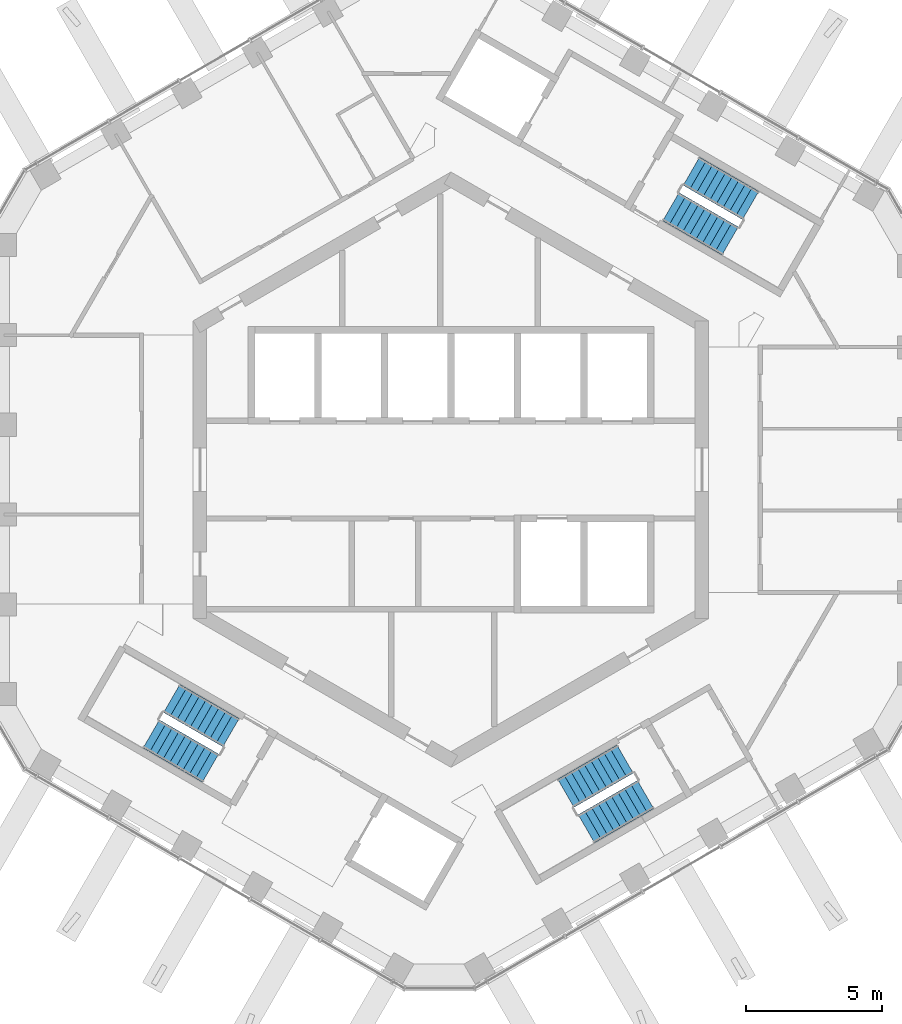
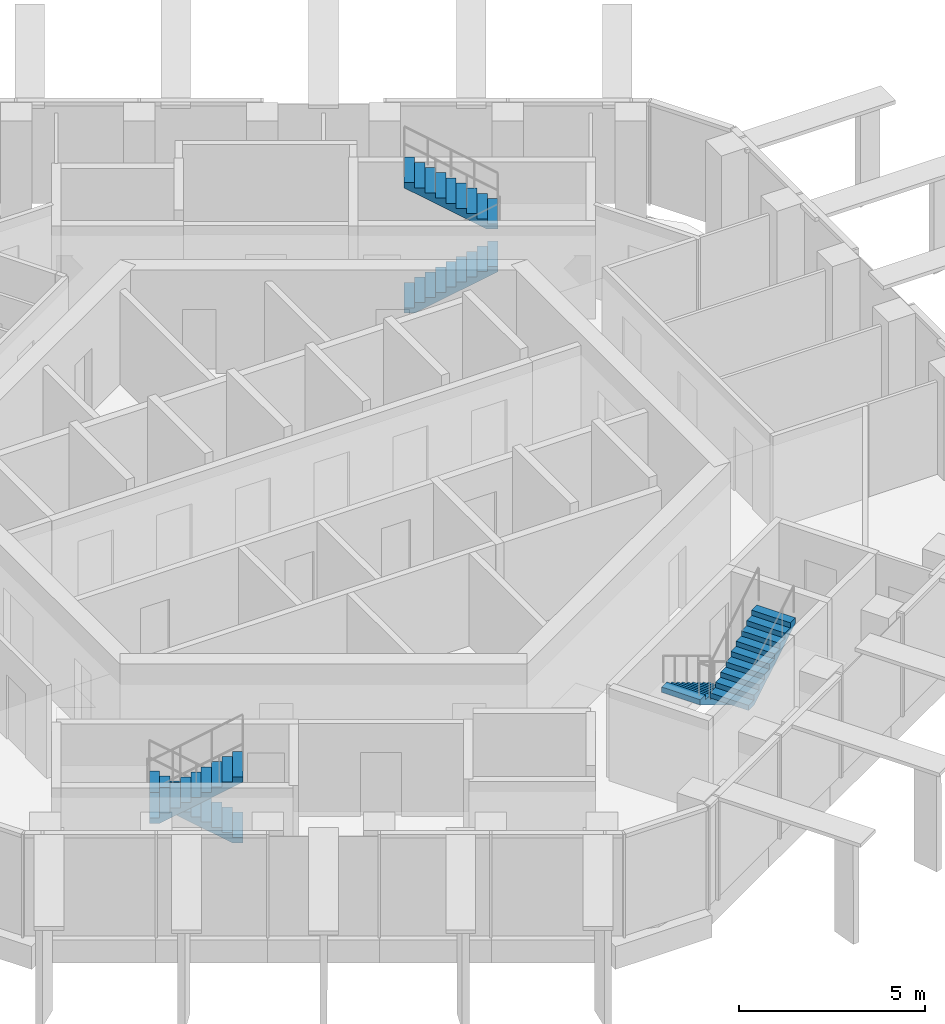
# One storey, part 15 of 18: 6 stair flights, 3 elements without a shape of their own.
"""IFC4 building model written with IfcOpenShell, lengths in metres."""

from ifc_helpers import new_model, si_unit, direction, frame, origin, place, context, subcontext, project, spatial, triangles, material, type_object, element, aggregate, save


model = new_model("IFC4")

# Units and contexts
model_context = context("Model", 3, precision=1e-05, world=origin(), true_north=direction((0.0, 1.0)))
body_context = subcontext(model_context, "Body", "Model", "MODEL_VIEW")
ifc_project = project(units=[si_unit("LENGTHUNIT", "METRE"), si_unit("AREAUNIT", "SQUARE_METRE"), si_unit("VOLUMEUNIT", "CUBIC_METRE"), si_unit("PLANEANGLEUNIT", "RADIAN"), si_unit("MASSUNIT", "GRAM", prefix="KILO")], contexts=[model_context])

# Site, building, storey
site_placement = place(None, origin())
site = spatial("IfcSite", under=ifc_project, at=site_placement, CompositionType="ELEMENT")
building_placement = place(site_placement, origin())
building = spatial("IfcBuilding", under=site, at=building_placement, Name="Ayvan Gate Tower", CompositionType="ELEMENT")
storey_placement = place(building_placement, frame((0.0, 0.0, 242.699951171875)))
storey = spatial("IfcBuildingStorey", under=building, at=storey_placement, Name="L65", CompositionType="ELEMENT", Elevation=242.699951171875)

# Stair, stair flights
ifc_material = material(Name="Concrete C40/50", Category="concrete")
stair_type = type_object("IfcStairType", Name="ST-EXIT", PredefinedType="HALF_TURN_STAIR", material=ifc_material)
stair_1_placement = place(storey_placement, origin())
stair_1 = element("IfcStair", 1, at=stair_1_placement, inside=storey, type_object=stair_type, Name="L65 Exit Stair S1", PredefinedType="HALF_TURN_STAIR")
stair_flight_type = type_object("IfcStairFlightType", Name="SFL-EXIT", PredefinedType="STRAIGHT", material=ifc_material)
stair_flight_1_placement = place(storey_placement, frame((8.106201171875, 9.690185546875, 0.0), z_axis=(0.0, 0.0, 1.0), x_axis=(0.866025403784, -0.5, 0.0)))
stair_flight_1 = element("IfcStairFlight", 2, at=stair_flight_1_placement, type_object=stair_flight_type, Name="STS1 flight 1", NumberOfRisers=10, NumberOfTreads=9, PredefinedType="STRAIGHT", RiserHeight=0.17, TreadLength=0.28, context=body_context, shape_type="Tessellation", body=[
    triangles([(0.288841, -0.599976, 0.0), (2.5205, -0.599976, 1.354936), (2.5205, -0.599976, 1.53), (2.24, -0.599976, 1.53), (2.24, -0.599976, 1.36), (1.96, -0.599976, 1.36), (1.96, -0.599976, 1.19), (1.68, -0.599976, 1.19), (1.68, -0.599976, 1.02), (1.4, -0.599976, 1.02), (1.4, -0.599976, 0.85), (1.12, -0.599976, 0.85), (1.12, -0.599976, 0.68), (0.84, -0.599976, 0.68), (0.84, -0.599976, 0.51), (0.56, -0.599976, 0.51), (0.56, -0.599976, 0.34), (0.28, -0.599976, 0.34), (0.28, -0.599976, 0.17), (-0.0005, -0.599976, 0.17), (-0.0005, -0.599976, 0.0), (0.288841, 0.0, 0.0), (2.5205, 0.0, 1.354936), (2.5205, 0.0, 1.53), (2.24, 0.0, 1.53), (2.24, 0.0, 1.36), (1.96, 0.0, 1.36), (1.96, 0.0, 1.19), (1.68, 0.0, 1.19), (1.68, 0.0, 1.02), (1.4, 0.0, 1.02), (1.4, 0.0, 0.85), (1.12, 0.0, 0.85), (1.12, 0.0, 0.68), (0.84, 0.0, 0.68), (0.84, 0.0, 0.51), (0.56, 0.0, 0.51), (0.56, 0.0, 0.34), (0.28, 0.0, 0.34), (0.28, 0.0, 0.17), (-0.0005, 0.0, 0.17), (-0.0005, 0.0, 0.0), (0.288841, 0.599976, 0.0), (2.5205, 0.599976, 1.354936), (2.5205, 0.599976, 1.53), (2.24, 0.599976, 1.53), (2.24, 0.599976, 1.36), (1.96, 0.599976, 1.36), (1.96, 0.599976, 1.19), (1.68, 0.599976, 1.19), (1.68, 0.599976, 1.02), (1.4, 0.599976, 1.02), (1.4, 0.599976, 0.85), (1.12, 0.599976, 0.85), (1.12, 0.599976, 0.68), (0.84, 0.599976, 0.68), (0.84, 0.599976, 0.51), (0.56, 0.599976, 0.51), (0.56, 0.599976, 0.34), (0.28, 0.599976, 0.34), (0.28, 0.599976, 0.17), (-0.0005, 0.599976, 0.17), (-0.0005, 0.599976, 0.0)], [[21, 1, 2], [63, 44, 43], [2, 3, 4], [44, 46, 45], [2, 4, 5], [44, 47, 46], [2, 5, 6], [44, 48, 47], [2, 6, 7], [44, 49, 48], [7, 8, 9], [49, 51, 50], [2, 7, 9], [44, 51, 49], [9, 10, 11], [51, 53, 52], [2, 9, 11], [44, 53, 51], [11, 12, 13], [53, 55, 54], [2, 11, 13], [44, 55, 53], [13, 14, 15], [55, 57, 56], [2, 13, 15], [44, 57, 55], [15, 16, 17], [57, 59, 58], [2, 15, 17], [44, 59, 57], [17, 18, 19], [59, 61, 60], [2, 17, 19], [44, 61, 59], [21, 2, 19], [63, 61, 44], [19, 20, 21], [61, 63, 62], [1, 22, 23], [1, 23, 2], [43, 23, 22], [43, 44, 23], [2, 23, 24], [2, 24, 3], [44, 24, 23], [44, 45, 24], [3, 24, 25], [3, 25, 4], [45, 25, 24], [45, 46, 25], [4, 25, 26], [4, 26, 5], [46, 26, 25], [46, 47, 26], [5, 26, 27], [5, 27, 6], [47, 27, 26], [47, 48, 27], [6, 27, 28], [6, 28, 7], [48, 28, 27], [48, 49, 28], [7, 28, 29], [7, 29, 8], [49, 29, 28], [49, 50, 29], [8, 29, 30], [8, 30, 9], [50, 30, 29], [50, 51, 30], [9, 30, 31], [9, 31, 10], [51, 31, 30], [51, 52, 31], [10, 31, 32], [10, 32, 11], [52, 32, 31], [52, 53, 32], [11, 32, 33], [11, 33, 12], [53, 33, 32], [53, 54, 33], [12, 33, 34], [12, 34, 13], [54, 34, 33], [54, 55, 34], [13, 34, 35], [13, 35, 14], [55, 35, 34], [55, 56, 35], [14, 35, 36], [14, 36, 15], [56, 36, 35], [56, 57, 36], [15, 36, 37], [15, 37, 16], [57, 37, 36], [57, 58, 37], [16, 37, 38], [16, 38, 17], [58, 38, 37], [58, 59, 38], [17, 38, 39], [17, 39, 18], [59, 39, 38], [59, 60, 39], [18, 39, 40], [18, 40, 19], [60, 40, 39], [60, 61, 40], [19, 40, 41], [19, 41, 20], [61, 41, 40], [61, 62, 41], [20, 41, 42], [20, 42, 21], [62, 42, 41], [62, 63, 42], [21, 42, 22], [21, 22, 1], [63, 22, 42], [63, 43, 22]], closed=True),
])
stair_flight_2_placement = place(storey_placement, frame((11.04345703125, 9.73779296875, 1.699951171875), z_axis=(0.0, 0.0, 1.0), x_axis=(-0.866025403784, 0.5, 0.0)))
stair_flight_2 = element("IfcStairFlight", 3, at=stair_flight_2_placement, type_object=stair_flight_type, Name="STS1 flight 2", NumberOfRisers=10, NumberOfTreads=9, PredefinedType="STRAIGHT", RiserHeight=0.17, TreadLength=0.28, context=body_context, shape_type="Tessellation", body=[
    triangles([(0.288841, -0.599976, 0.0), (2.5205, -0.599976, 1.354936), (2.5205, -0.599976, 1.53), (2.24, -0.599976, 1.53), (2.24, -0.599976, 1.36), (1.96, -0.599976, 1.36), (1.96, -0.599976, 1.19), (1.68, -0.599976, 1.19), (1.68, -0.599976, 1.02), (1.4, -0.599976, 1.02), (1.4, -0.599976, 0.85), (1.12, -0.599976, 0.85), (1.12, -0.599976, 0.68), (0.84, -0.599976, 0.68), (0.84, -0.599976, 0.51), (0.56, -0.599976, 0.51), (0.56, -0.599976, 0.34), (0.28, -0.599976, 0.34), (0.28, -0.599976, 0.17), (-0.0005, -0.599976, 0.17), (-0.0005, -0.599976, 0.0), (0.288841, 0.0, 0.0), (2.5205, 0.0, 1.354936), (2.5205, 0.0, 1.53), (2.24, 0.0, 1.53), (2.24, 0.0, 1.36), (1.96, 0.0, 1.36), (1.96, 0.0, 1.19), (1.68, 0.0, 1.19), (1.68, 0.0, 1.02), (1.4, 0.0, 1.02), (1.4, 0.0, 0.85), (1.12, 0.0, 0.85), (1.12, 0.0, 0.68), (0.84, 0.0, 0.68), (0.84, 0.0, 0.51), (0.56, 0.0, 0.51), (0.56, 0.0, 0.34), (0.28, 0.0, 0.34), (0.28, 0.0, 0.17), (-0.0005, 0.0, 0.17), (-0.0005, 0.0, 0.0), (0.288841, 0.599976, 0.0), (2.5205, 0.599976, 1.354936), (2.5205, 0.599976, 1.53), (2.24, 0.599976, 1.53), (2.24, 0.599976, 1.36), (1.96, 0.599976, 1.36), (1.96, 0.599976, 1.19), (1.68, 0.599976, 1.19), (1.68, 0.599976, 1.02), (1.4, 0.599976, 1.02), (1.4, 0.599976, 0.85), (1.12, 0.599976, 0.85), (1.12, 0.599976, 0.68), (0.84, 0.599976, 0.68), (0.84, 0.599976, 0.51), (0.56, 0.599976, 0.51), (0.56, 0.599976, 0.34), (0.28, 0.599976, 0.34), (0.28, 0.599976, 0.17), (-0.0005, 0.599976, 0.17), (-0.0005, 0.599976, 0.0)], [[21, 1, 2], [63, 44, 43], [2, 3, 4], [44, 46, 45], [2, 4, 5], [44, 47, 46], [2, 5, 6], [44, 48, 47], [2, 6, 7], [44, 49, 48], [7, 8, 9], [49, 51, 50], [2, 7, 9], [44, 51, 49], [9, 10, 11], [51, 53, 52], [2, 9, 11], [44, 53, 51], [11, 12, 13], [53, 55, 54], [2, 11, 13], [44, 55, 53], [13, 14, 15], [55, 57, 56], [2, 13, 15], [44, 57, 55], [15, 16, 17], [57, 59, 58], [2, 15, 17], [44, 59, 57], [17, 18, 19], [59, 61, 60], [2, 17, 19], [44, 61, 59], [21, 2, 19], [63, 61, 44], [19, 20, 21], [61, 63, 62], [1, 22, 23], [1, 23, 2], [43, 23, 22], [43, 44, 23], [2, 23, 24], [2, 24, 3], [44, 24, 23], [44, 45, 24], [3, 24, 25], [3, 25, 4], [45, 25, 24], [45, 46, 25], [4, 25, 26], [4, 26, 5], [46, 26, 25], [46, 47, 26], [5, 26, 27], [5, 27, 6], [47, 27, 26], [47, 48, 27], [6, 27, 28], [6, 28, 7], [48, 28, 27], [48, 49, 28], [7, 28, 29], [7, 29, 8], [49, 29, 28], [49, 50, 29], [8, 29, 30], [8, 30, 9], [50, 30, 29], [50, 51, 30], [9, 30, 31], [9, 31, 10], [51, 31, 30], [51, 52, 31], [10, 31, 32], [10, 32, 11], [52, 32, 31], [52, 53, 32], [11, 32, 33], [11, 33, 12], [53, 33, 32], [53, 54, 33], [12, 33, 34], [12, 34, 13], [54, 34, 33], [54, 55, 34], [13, 34, 35], [13, 35, 14], [55, 35, 34], [55, 56, 35], [14, 35, 36], [14, 36, 15], [56, 36, 35], [56, 57, 36], [15, 36, 37], [15, 37, 16], [57, 37, 36], [57, 58, 37], [16, 37, 38], [16, 38, 17], [58, 38, 37], [58, 59, 38], [17, 38, 39], [17, 39, 18], [59, 39, 38], [59, 60, 39], [18, 39, 40], [18, 40, 19], [60, 40, 39], [60, 61, 40], [19, 40, 41], [19, 41, 20], [61, 41, 40], [61, 62, 41], [20, 41, 42], [20, 42, 21], [62, 42, 41], [62, 63, 42], [21, 42, 22], [21, 22, 1], [63, 22, 42], [63, 43, 22]], closed=True),
])
aggregate(stair_1, [stair_flight_1, stair_flight_2])

stair_2_placement = place(storey_placement, origin())
stair_2 = element("IfcStair", 4, at=stair_2_placement, inside=storey, type_object=stair_type, Name="L65 Exit Stair S2", PredefinedType="HALF_TURN_STAIR")
stair_flight_3_placement = place(storey_placement, frame((-8.106201171875, -9.690185546875, 0.0), z_axis=(0.0, 0.0, 1.0), x_axis=(-0.866025403784, 0.5, 0.0)))
stair_flight_3 = element("IfcStairFlight", 5, at=stair_flight_3_placement, type_object=stair_flight_type, Name="STS2 flight 1", NumberOfRisers=10, NumberOfTreads=9, PredefinedType="STRAIGHT", RiserHeight=0.17, TreadLength=0.28, context=body_context, shape_type="Tessellation", body=[
    triangles([(0.288841, -0.599976, 0.0), (2.5205, -0.599976, 1.354936), (2.5205, -0.599976, 1.53), (2.24, -0.599976, 1.53), (2.24, -0.599976, 1.36), (1.96, -0.599976, 1.36), (1.96, -0.599976, 1.19), (1.68, -0.599976, 1.19), (1.68, -0.599976, 1.02), (1.4, -0.599976, 1.02), (1.4, -0.599976, 0.85), (1.12, -0.599976, 0.85), (1.12, -0.599976, 0.68), (0.84, -0.599976, 0.68), (0.84, -0.599976, 0.51), (0.56, -0.599976, 0.51), (0.56, -0.599976, 0.34), (0.28, -0.599976, 0.34), (0.28, -0.599976, 0.17), (-0.0005, -0.599976, 0.17), (-0.0005, -0.599976, 0.0), (0.288841, 0.0, 0.0), (2.5205, 0.0, 1.354936), (2.5205, 0.0, 1.53), (2.24, 0.0, 1.53), (2.24, 0.0, 1.36), (1.96, 0.0, 1.36), (1.96, 0.0, 1.19), (1.68, 0.0, 1.19), (1.68, 0.0, 1.02), (1.4, 0.0, 1.02), (1.4, 0.0, 0.85), (1.12, 0.0, 0.85), (1.12, 0.0, 0.68), (0.84, 0.0, 0.68), (0.84, 0.0, 0.51), (0.56, 0.0, 0.51), (0.56, 0.0, 0.34), (0.28, 0.0, 0.34), (0.28, 0.0, 0.17), (-0.0005, 0.0, 0.17), (-0.0005, 0.0, 0.0), (0.288841, 0.599976, 0.0), (2.5205, 0.599976, 1.354936), (2.5205, 0.599976, 1.53), (2.24, 0.599976, 1.53), (2.24, 0.599976, 1.36), (1.96, 0.599976, 1.36), (1.96, 0.599976, 1.19), (1.68, 0.599976, 1.19), (1.68, 0.599976, 1.02), (1.4, 0.599976, 1.02), (1.4, 0.599976, 0.85), (1.12, 0.599976, 0.85), (1.12, 0.599976, 0.68), (0.84, 0.599976, 0.68), (0.84, 0.599976, 0.51), (0.56, 0.599976, 0.51), (0.56, 0.599976, 0.34), (0.28, 0.599976, 0.34), (0.28, 0.599976, 0.17), (-0.0005, 0.599976, 0.17), (-0.0005, 0.599976, 0.0)], [[21, 1, 2], [63, 44, 43], [2, 3, 4], [44, 46, 45], [2, 4, 5], [44, 47, 46], [2, 5, 6], [44, 48, 47], [2, 6, 7], [44, 49, 48], [7, 8, 9], [49, 51, 50], [2, 7, 9], [44, 51, 49], [9, 10, 11], [51, 53, 52], [2, 9, 11], [44, 53, 51], [11, 12, 13], [53, 55, 54], [2, 11, 13], [44, 55, 53], [13, 14, 15], [55, 57, 56], [2, 13, 15], [44, 57, 55], [15, 16, 17], [57, 59, 58], [2, 15, 17], [44, 59, 57], [17, 18, 19], [59, 61, 60], [2, 17, 19], [44, 61, 59], [21, 2, 19], [63, 61, 44], [19, 20, 21], [61, 63, 62], [1, 22, 23], [1, 23, 2], [43, 23, 22], [43, 44, 23], [2, 23, 24], [2, 24, 3], [44, 24, 23], [44, 45, 24], [3, 24, 25], [3, 25, 4], [45, 25, 24], [45, 46, 25], [4, 25, 26], [4, 26, 5], [46, 26, 25], [46, 47, 26], [5, 26, 27], [5, 27, 6], [47, 27, 26], [47, 48, 27], [6, 27, 28], [6, 28, 7], [48, 28, 27], [48, 49, 28], [7, 28, 29], [7, 29, 8], [49, 29, 28], [49, 50, 29], [8, 29, 30], [8, 30, 9], [50, 30, 29], [50, 51, 30], [9, 30, 31], [9, 31, 10], [51, 31, 30], [51, 52, 31], [10, 31, 32], [10, 32, 11], [52, 32, 31], [52, 53, 32], [11, 32, 33], [11, 33, 12], [53, 33, 32], [53, 54, 33], [12, 33, 34], [12, 34, 13], [54, 34, 33], [54, 55, 34], [13, 34, 35], [13, 35, 14], [55, 35, 34], [55, 56, 35], [14, 35, 36], [14, 36, 15], [56, 36, 35], [56, 57, 36], [15, 36, 37], [15, 37, 16], [57, 37, 36], [57, 58, 37], [16, 37, 38], [16, 38, 17], [58, 38, 37], [58, 59, 38], [17, 38, 39], [17, 39, 18], [59, 39, 38], [59, 60, 39], [18, 39, 40], [18, 40, 19], [60, 40, 39], [60, 61, 40], [19, 40, 41], [19, 41, 20], [61, 41, 40], [61, 62, 41], [20, 41, 42], [20, 42, 21], [62, 42, 41], [62, 63, 42], [21, 42, 22], [21, 22, 1], [63, 22, 42], [63, 43, 22]], closed=True),
])
stair_flight_4_placement = place(storey_placement, frame((-11.04345703125, -9.73779296875, 1.699951171875), z_axis=(0.0, 0.0, 1.0), x_axis=(0.866025403784, -0.5, 0.0)))
stair_flight_4 = element("IfcStairFlight", 6, at=stair_flight_4_placement, type_object=stair_flight_type, Name="STS2 flight 2", NumberOfRisers=10, NumberOfTreads=9, PredefinedType="STRAIGHT", RiserHeight=0.17, TreadLength=0.28, context=body_context, shape_type="Tessellation", body=[
    triangles([(0.288841, -0.599976, 0.0), (2.5205, -0.599976, 1.354936), (2.5205, -0.599976, 1.53), (2.24, -0.599976, 1.53), (2.24, -0.599976, 1.36), (1.96, -0.599976, 1.36), (1.96, -0.599976, 1.19), (1.68, -0.599976, 1.19), (1.68, -0.599976, 1.02), (1.4, -0.599976, 1.02), (1.4, -0.599976, 0.85), (1.12, -0.599976, 0.85), (1.12, -0.599976, 0.68), (0.84, -0.599976, 0.68), (0.84, -0.599976, 0.51), (0.56, -0.599976, 0.51), (0.56, -0.599976, 0.34), (0.28, -0.599976, 0.34), (0.28, -0.599976, 0.17), (-0.0005, -0.599976, 0.17), (-0.0005, -0.599976, 0.0), (0.288841, 0.0, 0.0), (2.5205, 0.0, 1.354936), (2.5205, 0.0, 1.53), (2.24, 0.0, 1.53), (2.24, 0.0, 1.36), (1.96, 0.0, 1.36), (1.96, 0.0, 1.19), (1.68, 0.0, 1.19), (1.68, 0.0, 1.02), (1.4, 0.0, 1.02), (1.4, 0.0, 0.85), (1.12, 0.0, 0.85), (1.12, 0.0, 0.68), (0.84, 0.0, 0.68), (0.84, 0.0, 0.51), (0.56, 0.0, 0.51), (0.56, 0.0, 0.34), (0.28, 0.0, 0.34), (0.28, 0.0, 0.17), (-0.0005, 0.0, 0.17), (-0.0005, 0.0, 0.0), (0.288841, 0.599976, 0.0), (2.5205, 0.599976, 1.354936), (2.5205, 0.599976, 1.53), (2.24, 0.599976, 1.53), (2.24, 0.599976, 1.36), (1.96, 0.599976, 1.36), (1.96, 0.599976, 1.19), (1.68, 0.599976, 1.19), (1.68, 0.599976, 1.02), (1.4, 0.599976, 1.02), (1.4, 0.599976, 0.85), (1.12, 0.599976, 0.85), (1.12, 0.599976, 0.68), (0.84, 0.599976, 0.68), (0.84, 0.599976, 0.51), (0.56, 0.599976, 0.51), (0.56, 0.599976, 0.34), (0.28, 0.599976, 0.34), (0.28, 0.599976, 0.17), (-0.0005, 0.599976, 0.17), (-0.0005, 0.599976, 0.0)], [[21, 1, 2], [63, 44, 43], [2, 3, 4], [44, 46, 45], [2, 4, 5], [44, 47, 46], [2, 5, 6], [44, 48, 47], [2, 6, 7], [44, 49, 48], [7, 8, 9], [49, 51, 50], [2, 7, 9], [44, 51, 49], [9, 10, 11], [51, 53, 52], [2, 9, 11], [44, 53, 51], [11, 12, 13], [53, 55, 54], [2, 11, 13], [44, 55, 53], [13, 14, 15], [55, 57, 56], [2, 13, 15], [44, 57, 55], [15, 16, 17], [57, 59, 58], [2, 15, 17], [44, 59, 57], [17, 18, 19], [59, 61, 60], [2, 17, 19], [44, 61, 59], [21, 2, 19], [63, 61, 44], [19, 20, 21], [61, 63, 62], [1, 22, 23], [1, 23, 2], [43, 23, 22], [43, 44, 23], [2, 23, 24], [2, 24, 3], [44, 24, 23], [44, 45, 24], [3, 24, 25], [3, 25, 4], [45, 25, 24], [45, 46, 25], [4, 25, 26], [4, 26, 5], [46, 26, 25], [46, 47, 26], [5, 26, 27], [5, 27, 6], [47, 27, 26], [47, 48, 27], [6, 27, 28], [6, 28, 7], [48, 28, 27], [48, 49, 28], [7, 28, 29], [7, 29, 8], [49, 29, 28], [49, 50, 29], [8, 29, 30], [8, 30, 9], [50, 30, 29], [50, 51, 30], [9, 30, 31], [9, 31, 10], [51, 31, 30], [51, 52, 31], [10, 31, 32], [10, 32, 11], [52, 32, 31], [52, 53, 32], [11, 32, 33], [11, 33, 12], [53, 33, 32], [53, 54, 33], [12, 33, 34], [12, 34, 13], [54, 34, 33], [54, 55, 34], [13, 34, 35], [13, 35, 14], [55, 35, 34], [55, 56, 35], [14, 35, 36], [14, 36, 15], [56, 36, 35], [56, 57, 36], [15, 36, 37], [15, 37, 16], [57, 37, 36], [57, 58, 37], [16, 37, 38], [16, 38, 17], [58, 38, 37], [58, 59, 38], [17, 38, 39], [17, 39, 18], [59, 39, 38], [59, 60, 39], [18, 39, 40], [18, 40, 19], [60, 40, 39], [60, 61, 40], [19, 40, 41], [19, 41, 20], [61, 41, 40], [61, 62, 41], [20, 41, 42], [20, 42, 21], [62, 42, 41], [62, 63, 42], [21, 42, 22], [21, 22, 1], [63, 22, 42], [63, 43, 22]], closed=True),
])
aggregate(stair_2, [stair_flight_3, stair_flight_4])

stair_3_placement = place(storey_placement, origin())
stair_3 = element("IfcStair", 7, at=stair_3_placement, inside=storey, type_object=stair_type, Name="L65 Exit Stair S3", PredefinedType="HALF_TURN_STAIR")
stair_flight_5_placement = place(storey_placement, frame((6.417236328125, -10.665283203125, 0.0), z_axis=(0.0, 0.0, 1.0), x_axis=(-0.866025403784, -0.5, 0.0)))
stair_flight_5 = element("IfcStairFlight", 8, at=stair_flight_5_placement, type_object=stair_flight_type, Name="STS3 flight 1", NumberOfRisers=10, NumberOfTreads=9, PredefinedType="STRAIGHT", RiserHeight=0.17, TreadLength=0.28, context=body_context, shape_type="Tessellation", body=[
    triangles([(0.288841, -0.599976, 0.0), (2.5205, -0.599976, 1.354936), (2.5205, -0.599976, 1.53), (2.24, -0.599976, 1.53), (2.24, -0.599976, 1.36), (1.96, -0.599976, 1.36), (1.96, -0.599976, 1.19), (1.68, -0.599976, 1.19), (1.68, -0.599976, 1.02), (1.4, -0.599976, 1.02), (1.4, -0.599976, 0.85), (1.12, -0.599976, 0.85), (1.12, -0.599976, 0.68), (0.84, -0.599976, 0.68), (0.84, -0.599976, 0.51), (0.56, -0.599976, 0.51), (0.56, -0.599976, 0.34), (0.28, -0.599976, 0.34), (0.28, -0.599976, 0.17), (-0.0005, -0.599976, 0.17), (-0.0005, -0.599976, 0.0), (0.288841, 0.0, 0.0), (2.5205, 0.0, 1.354936), (2.5205, 0.0, 1.53), (2.24, 0.0, 1.53), (2.24, 0.0, 1.36), (1.96, 0.0, 1.36), (1.96, 0.0, 1.19), (1.68, 0.0, 1.19), (1.68, 0.0, 1.02), (1.4, 0.0, 1.02), (1.4, 0.0, 0.85), (1.12, 0.0, 0.85), (1.12, 0.0, 0.68), (0.84, 0.0, 0.68), (0.84, 0.0, 0.51), (0.56, 0.0, 0.51), (0.56, 0.0, 0.34), (0.28, 0.0, 0.34), (0.28, 0.0, 0.17), (-0.0005, 0.0, 0.17), (-0.0005, 0.0, 0.0), (0.288841, 0.599976, 0.0), (2.5205, 0.599976, 1.354936), (2.5205, 0.599976, 1.53), (2.24, 0.599976, 1.53), (2.24, 0.599976, 1.36), (1.96, 0.599976, 1.36), (1.96, 0.599976, 1.19), (1.68, 0.599976, 1.19), (1.68, 0.599976, 1.02), (1.4, 0.599976, 1.02), (1.4, 0.599976, 0.85), (1.12, 0.599976, 0.85), (1.12, 0.599976, 0.68), (0.84, 0.599976, 0.68), (0.84, 0.599976, 0.51), (0.56, 0.599976, 0.51), (0.56, 0.599976, 0.34), (0.28, 0.599976, 0.34), (0.28, 0.599976, 0.17), (-0.0005, 0.599976, 0.17), (-0.0005, 0.599976, 0.0)], [[21, 1, 2], [63, 44, 43], [2, 3, 4], [44, 46, 45], [2, 4, 5], [44, 47, 46], [2, 5, 6], [44, 48, 47], [2, 6, 7], [44, 49, 48], [7, 8, 9], [49, 51, 50], [2, 7, 9], [44, 51, 49], [9, 10, 11], [51, 53, 52], [2, 9, 11], [44, 53, 51], [11, 12, 13], [53, 55, 54], [2, 11, 13], [44, 55, 53], [13, 14, 15], [55, 57, 56], [2, 13, 15], [44, 57, 55], [15, 16, 17], [57, 59, 58], [2, 15, 17], [44, 59, 57], [17, 18, 19], [59, 61, 60], [2, 17, 19], [44, 61, 59], [21, 2, 19], [63, 61, 44], [19, 20, 21], [61, 63, 62], [1, 22, 23], [1, 23, 2], [43, 23, 22], [43, 44, 23], [2, 23, 24], [2, 24, 3], [44, 24, 23], [44, 45, 24], [3, 24, 25], [3, 25, 4], [45, 25, 24], [45, 46, 25], [4, 25, 26], [4, 26, 5], [46, 26, 25], [46, 47, 26], [5, 26, 27], [5, 27, 6], [47, 27, 26], [47, 48, 27], [6, 27, 28], [6, 28, 7], [48, 28, 27], [48, 49, 28], [7, 28, 29], [7, 29, 8], [49, 29, 28], [49, 50, 29], [8, 29, 30], [8, 30, 9], [50, 30, 29], [50, 51, 30], [9, 30, 31], [9, 31, 10], [51, 31, 30], [51, 52, 31], [10, 31, 32], [10, 32, 11], [52, 32, 31], [52, 53, 32], [11, 32, 33], [11, 33, 12], [53, 33, 32], [53, 54, 33], [12, 33, 34], [12, 34, 13], [54, 34, 33], [54, 55, 34], [13, 34, 35], [13, 35, 14], [55, 35, 34], [55, 56, 35], [14, 35, 36], [14, 36, 15], [56, 36, 35], [56, 57, 36], [15, 36, 37], [15, 37, 16], [57, 37, 36], [57, 58, 37], [16, 37, 38], [16, 38, 17], [58, 38, 37], [58, 59, 38], [17, 38, 39], [17, 39, 18], [59, 39, 38], [59, 60, 39], [18, 39, 40], [18, 40, 19], [60, 40, 39], [60, 61, 40], [19, 40, 41], [19, 41, 20], [61, 41, 40], [61, 62, 41], [20, 41, 42], [20, 42, 21], [62, 42, 41], [62, 63, 42], [21, 42, 22], [21, 22, 1], [63, 22, 42], [63, 43, 22]], closed=True),
])
stair_flight_6_placement = place(storey_placement, frame((4.989990234375, -13.23291015625, 1.699951171875), z_axis=(0.0, 0.0, 1.0), x_axis=(0.866025403784, 0.5, 0.0)))
stair_flight_6 = element("IfcStairFlight", 9, at=stair_flight_6_placement, type_object=stair_flight_type, Name="STS3 flight 2", NumberOfRisers=10, NumberOfTreads=9, PredefinedType="STRAIGHT", RiserHeight=0.17, TreadLength=0.28, context=body_context, shape_type="Tessellation", body=[
    triangles([(0.288841, -0.599976, 0.0), (2.5205, -0.599976, 1.354936), (2.5205, -0.599976, 1.53), (2.24, -0.599976, 1.53), (2.24, -0.599976, 1.36), (1.96, -0.599976, 1.36), (1.96, -0.599976, 1.19), (1.68, -0.599976, 1.19), (1.68, -0.599976, 1.02), (1.4, -0.599976, 1.02), (1.4, -0.599976, 0.85), (1.12, -0.599976, 0.85), (1.12, -0.599976, 0.68), (0.84, -0.599976, 0.68), (0.84, -0.599976, 0.51), (0.56, -0.599976, 0.51), (0.56, -0.599976, 0.34), (0.28, -0.599976, 0.34), (0.28, -0.599976, 0.17), (-0.0005, -0.599976, 0.17), (-0.0005, -0.599976, 0.0), (0.288841, 0.0, 0.0), (2.5205, 0.0, 1.354936), (2.5205, 0.0, 1.53), (2.24, 0.0, 1.53), (2.24, 0.0, 1.36), (1.96, 0.0, 1.36), (1.96, 0.0, 1.19), (1.68, 0.0, 1.19), (1.68, 0.0, 1.02), (1.4, 0.0, 1.02), (1.4, 0.0, 0.85), (1.12, 0.0, 0.85), (1.12, 0.0, 0.68), (0.84, 0.0, 0.68), (0.84, 0.0, 0.51), (0.56, 0.0, 0.51), (0.56, 0.0, 0.34), (0.28, 0.0, 0.34), (0.28, 0.0, 0.17), (-0.0005, 0.0, 0.17), (-0.0005, 0.0, 0.0), (0.288841, 0.599976, 0.0), (2.5205, 0.599976, 1.354936), (2.5205, 0.599976, 1.53), (2.24, 0.599976, 1.53), (2.24, 0.599976, 1.36), (1.96, 0.599976, 1.36), (1.96, 0.599976, 1.19), (1.68, 0.599976, 1.19), (1.68, 0.599976, 1.02), (1.4, 0.599976, 1.02), (1.4, 0.599976, 0.85), (1.12, 0.599976, 0.85), (1.12, 0.599976, 0.68), (0.84, 0.599976, 0.68), (0.84, 0.599976, 0.51), (0.56, 0.599976, 0.51), (0.56, 0.599976, 0.34), (0.28, 0.599976, 0.34), (0.28, 0.599976, 0.17), (-0.0005, 0.599976, 0.17), (-0.0005, 0.599976, 0.0)], [[21, 1, 2], [63, 44, 43], [2, 3, 4], [44, 46, 45], [2, 4, 5], [44, 47, 46], [2, 5, 6], [44, 48, 47], [2, 6, 7], [44, 49, 48], [7, 8, 9], [49, 51, 50], [2, 7, 9], [44, 51, 49], [9, 10, 11], [51, 53, 52], [2, 9, 11], [44, 53, 51], [11, 12, 13], [53, 55, 54], [2, 11, 13], [44, 55, 53], [13, 14, 15], [55, 57, 56], [2, 13, 15], [44, 57, 55], [15, 16, 17], [57, 59, 58], [2, 15, 17], [44, 59, 57], [17, 18, 19], [59, 61, 60], [2, 17, 19], [44, 61, 59], [21, 2, 19], [63, 61, 44], [19, 20, 21], [61, 63, 62], [1, 22, 23], [1, 23, 2], [43, 23, 22], [43, 44, 23], [2, 23, 24], [2, 24, 3], [44, 24, 23], [44, 45, 24], [3, 24, 25], [3, 25, 4], [45, 25, 24], [45, 46, 25], [4, 25, 26], [4, 26, 5], [46, 26, 25], [46, 47, 26], [5, 26, 27], [5, 27, 6], [47, 27, 26], [47, 48, 27], [6, 27, 28], [6, 28, 7], [48, 28, 27], [48, 49, 28], [7, 28, 29], [7, 29, 8], [49, 29, 28], [49, 50, 29], [8, 29, 30], [8, 30, 9], [50, 30, 29], [50, 51, 30], [9, 30, 31], [9, 31, 10], [51, 31, 30], [51, 52, 31], [10, 31, 32], [10, 32, 11], [52, 32, 31], [52, 53, 32], [11, 32, 33], [11, 33, 12], [53, 33, 32], [53, 54, 33], [12, 33, 34], [12, 34, 13], [54, 34, 33], [54, 55, 34], [13, 34, 35], [13, 35, 14], [55, 35, 34], [55, 56, 35], [14, 35, 36], [14, 36, 15], [56, 36, 35], [56, 57, 36], [15, 36, 37], [15, 37, 16], [57, 37, 36], [57, 58, 37], [16, 37, 38], [16, 38, 17], [58, 38, 37], [58, 59, 38], [17, 38, 39], [17, 39, 18], [59, 39, 38], [59, 60, 39], [18, 39, 40], [18, 40, 19], [60, 40, 39], [60, 61, 40], [19, 40, 41], [19, 41, 20], [61, 41, 40], [61, 62, 41], [20, 41, 42], [20, 42, 21], [62, 42, 41], [62, 63, 42], [21, 42, 22], [21, 22, 1], [63, 22, 42], [63, 43, 22]], closed=True),
])
aggregate(stair_3, [stair_flight_5, stair_flight_6])

save(model, "model.ifc")
